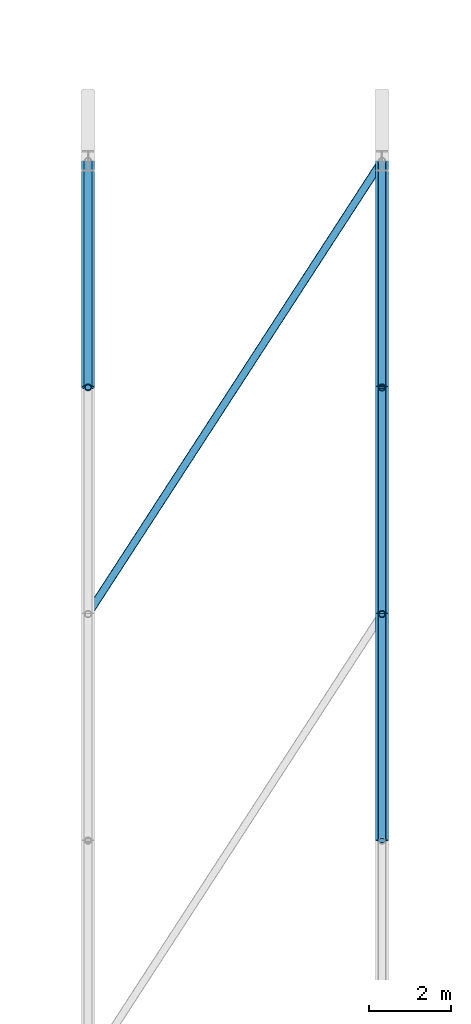
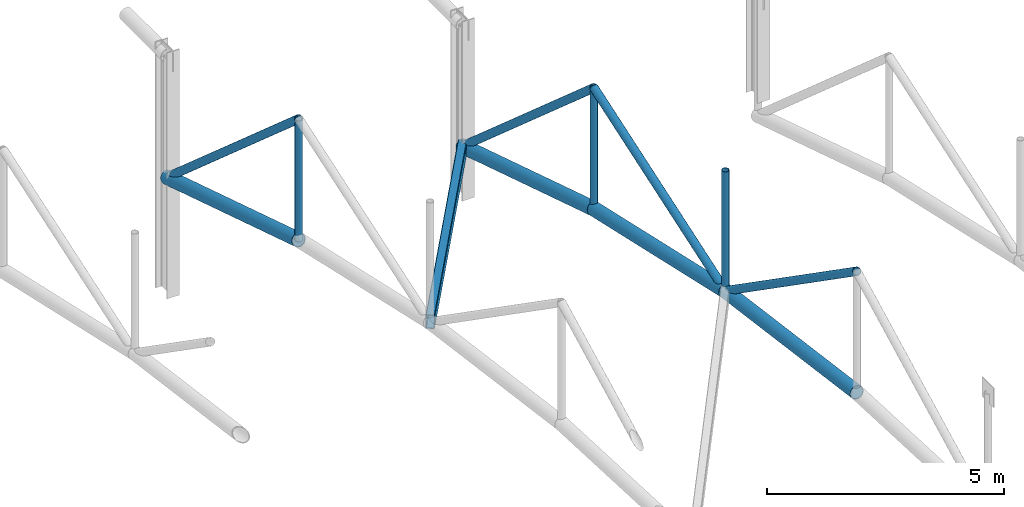
# One storey, part 55 of 153: 12 members.
"""IFC4 building model written with IfcOpenShell, lengths in metres."""

from ifc_helpers import new_model, si_unit, derived_unit, direction, frame, origin, origin_2d, place, context, subcontext, project, spatial, hollow_rectangle, hollow_circle, extrude, material, material_profile, profile_set, type_object, element, save


model = new_model("IFC4")

# Units and contexts
model_context = context("Model", 3, precision=1e-05, world=origin(), true_north=direction((0.0, 1.0)))
body_context = subcontext(model_context, "Body", "Model", "MODEL_VIEW")
ifc_project = project(units=[si_unit("LENGTHUNIT", "METRE"), si_unit("AREAUNIT", "SQUARE_METRE"), si_unit("VOLUMEUNIT", "CUBIC_METRE"), si_unit("PLANEANGLEUNIT", "RADIAN"), si_unit("MASSUNIT", "GRAM", prefix="KILO"), derived_unit("THERMALTRANSMITTANCEUNIT", [(si_unit("POWERUNIT", "WATT"), 1), (si_unit("LENGTHUNIT", "METRE"), -2), (si_unit("THERMODYNAMICTEMPERATUREUNIT", "KELVIN"), -1)])], contexts=[model_context])

# Site, building, storey
site_placement = place(None, origin())
site = spatial("IfcSite", under=ifc_project, at=site_placement, CompositionType="ELEMENT")
building_placement = place(site_placement, origin())
building = spatial("IfcBuilding", under=site, at=building_placement, Name="Keldorne Ridge Multi-Sports Centre", CompositionType="ELEMENT")
storey_placement = place(building_placement, frame((0.0, 0.0, 9.60009765625)))
storey = spatial("IfcBuildingStorey", under=building, at=storey_placement, Name="L02", CompositionType="ELEMENT", Elevation=9.60009765625)

# Members
ifc_material = material(Name="Steel S355", Category="steel")
ifc_material_profile_1 = material_profile(ifc_material, hollow_circle(Radius=0.161865234375, WallThickness=0.01611328125, at=origin_2d()), Name="CHS 323.9x16")
ifc_profile_set_1 = profile_set([ifc_material_profile_1], Name="Steel S355")
member_type_1 = type_object("IfcMemberType", Name="MEM-TC-02", PredefinedType="CHORD", material=ifc_profile_set_1)
member_1_placement = place(storey_placement, frame((27.60009765625, 48.449951171875, 4.68994140625), z_axis=(0.0, 0.953713189214, -0.300717729305), x_axis=(-1.0, 0.0, 0.0)))
element("IfcMember", 1, at=member_1_placement, inside=storey, type_object=member_type_1, Name="Main Hall ROOF TRUSS AT-04 bottom chord 8", PredefinedType="CHORD", context=body_context, shape_type="SweptSolid", body=[
    extrude(hollow_circle(Radius=0.161865234375, WallThickness=0.01611328125, at=origin_2d()), origin(), (0.0, 0.0, 1.0), 5.8193359375),
])
member_2_placement = place(storey_placement, frame((34.800048828125, 37.35009765625, 4.969970703125), z_axis=(0.0, 0.990991804939, -0.133922524405), x_axis=(-1.0, 0.0, 0.0)))
element("IfcMember", 2, at=member_2_placement, inside=storey, type_object=member_type_1, Name="Main Hall ROOF TRUSS AT-05 bottom chord 6", PredefinedType="CHORD", context=body_context, shape_type="SweptSolid", body=[
    extrude(hollow_circle(Radius=0.161865234375, WallThickness=0.01611328125, at=origin_2d()), origin(), (0.0, 0.0, 1.0), 5.600341796875),
])
member_3_placement = place(storey_placement, frame((34.800048828125, 42.89990234375, 4.219970703125), z_axis=(0.0, 0.975563092904, -0.219719484259), x_axis=(-1.0, 0.0, 0.0)))
element("IfcMember", 3, at=member_3_placement, inside=storey, type_object=member_type_1, Name="Main Hall ROOF TRUSS AT-05 bottom chord 7", PredefinedType="CHORD", context=body_context, shape_type="SweptSolid", body=[
    extrude(hollow_circle(Radius=0.161865234375, WallThickness=0.01611328125, at=origin_2d()), origin(), (0.0, 0.0, 1.0), 5.68896484375),
])
member_4_placement = place(storey_placement, frame((34.800048828125, 48.449951171875, 2.969970703125), z_axis=(0.0, 0.953713189214, -0.300717729305), x_axis=(-1.0, 0.0, 0.0)))
element("IfcMember", 4, at=member_4_placement, inside=storey, type_object=member_type_1, Name="Main Hall ROOF TRUSS AT-05 bottom chord 8", PredefinedType="CHORD", context=body_context, shape_type="SweptSolid", body=[
    extrude(hollow_circle(Radius=0.161865234375, WallThickness=0.01611328125, at=origin_2d()), origin(), (0.0, 0.0, 1.0), 5.8193359375),
])
ifc_material_profile_2 = material_profile(ifc_material, hollow_circle(Radius=0.096923828125, WallThickness=0.010009765625, at=origin_2d()), Name="CHS 193.7x10")
ifc_profile_set_2 = profile_set([ifc_material_profile_2], Name="Steel S355")
member_type_2 = type_object("IfcMemberType", Name="MEM-TD-01", PredefinedType="BRACE", material=ifc_profile_set_2)
member_5_placement = place(storey_placement, frame((27.60009765625, 48.449951171875, 7.809814453125), z_axis=(0.0, 0.751664494299, -0.659545667874), x_axis=(-1.0, 0.0, 0.0)))
element("IfcMember", 5, at=member_5_placement, inside=storey, type_object=member_type_2, Name="Main Hall ROOF TRUSS AT-04 diagonal 8", PredefinedType="BRACE", context=body_context, shape_type="SweptSolid", body=[
    extrude(hollow_circle(Radius=0.096923828125, WallThickness=0.010009765625, at=origin_2d()), origin(), (0.0, 0.0, 1.0), 7.3837890625),
])
member_6_placement = place(storey_placement, frame((34.800048828125, 37.35009765625, 8.08984375), z_axis=(0.0, 0.820271449663, -0.571974430257), x_axis=(-1.0, 0.0, 0.0)))
element("IfcMember", 6, at=member_6_placement, inside=storey, type_object=member_type_2, Name="Main Hall ROOF TRUSS AT-05 diagonal 6", PredefinedType="BRACE", context=body_context, shape_type="SweptSolid", body=[
    extrude(hollow_circle(Radius=0.096923828125, WallThickness=0.010009765625, at=origin_2d()), origin(), (0.0, 0.0, 1.0), 6.765869140625),
])
member_7_placement = place(storey_placement, frame((34.800048828125, 42.89990234375, 4.219970703125), z_axis=(0.0, 0.947661237718, 0.319277588514), x_axis=(-1.0, 0.0, 0.0)))
element("IfcMember", 7, at=member_7_placement, inside=storey, type_object=member_type_2, Name="Main Hall ROOF TRUSS AT-05 diagonal 7", PredefinedType="BRACE", context=body_context, shape_type="SweptSolid", body=[
    extrude(hollow_circle(Radius=0.096923828125, WallThickness=0.010009765625, at=origin_2d()), origin(), (0.0, 0.0, 1.0), 5.856689453125),
])
member_8_placement = place(storey_placement, frame((34.800048828125, 48.449951171875, 6.08984375), z_axis=(0.0, 0.751664494299, -0.659545667874), x_axis=(-1.0, 0.0, 0.0)))
element("IfcMember", 8, at=member_8_placement, inside=storey, type_object=member_type_2, Name="Main Hall ROOF TRUSS AT-05 diagonal 8", PredefinedType="BRACE", context=body_context, shape_type="SweptSolid", body=[
    extrude(hollow_circle(Radius=0.096923828125, WallThickness=0.010009765625, at=origin_2d()), origin(), (0.0, 0.0, 1.0), 7.3837890625),
])
ifc_material_profile_3 = material_profile(ifc_material, hollow_circle(Radius=0.084228515625, WallThickness=0.010009765625, at=origin_2d()), Name="CHS 168.3x10")
ifc_profile_set_3 = profile_set([ifc_material_profile_3], Name="Steel S355")
member_type_3 = type_object("IfcMemberType", Name="MEM-TV-01", PredefinedType="STRUT", material=ifc_profile_set_3)
for number, where, z_axis, x_axis, name in (
    (9, (27.60009765625, 48.449951171875, 4.68994140625), (0.0, 0.0, 1.0), (1.0, 0.0, 0.0), "Main Hall ROOF TRUSS AT-04 vertical 8"),
    (10, (34.800048828125, 42.89990234375, 4.219970703125), (0.0, 0.0, 1.0), (1.0, 0.0, 0.0), "Main Hall ROOF TRUSS AT-05 vertical 7"),
    (11, (34.800048828125, 48.449951171875, 2.969970703125), (0.0, 0.0, 1.0), (1.0, 0.0, 0.0), "Main Hall ROOF TRUSS AT-05 vertical 8"),
):
    element("IfcMember", number, at=place(storey_placement, frame(where, z_axis=z_axis, x_axis=x_axis)), inside=storey, type_object=member_type_3, Name=name, PredefinedType="STRUT", context=body_context, shape_type="SweptSolid", body=[
        extrude(hollow_circle(Radius=0.084228515625, WallThickness=0.010009765625, at=origin_2d()), origin(), (0.0, 0.0, 1.0), 3.119873046875),
    ])
ifc_material_profile_4 = material_profile(ifc_material, hollow_rectangle(XDim=0.199951171875, YDim=0.300048828125, WallThickness=0.012451171875, InnerFilletRadius=0.012451171875, OuterFilletRadius=0.02490234375, at=origin_2d()), Name="RHS 300x200x12.5")
ifc_profile_set_4 = profile_set([ifc_material_profile_4], Name="Steel S355")
member_type_4 = type_object("IfcMemberType", Name="MEM-WB-01", PredefinedType="BRACE", material=ifc_profile_set_4)
member_9_placement = place(storey_placement, frame((27.60009765625, 42.89990234375, 5.93994140625), z_axis=(0.512546705426, 0.790188481534, -0.336003033332), x_axis=(-0.83896515778, 0.544185137643, 0.0)))
element("IfcMember", 12, at=member_9_placement, inside=storey, type_object=member_type_4, Name="Main Hall wind girder brace 4.7", PredefinedType="BRACE", context=body_context, shape_type="SweptSolid", body=[
    extrude(hollow_rectangle(XDim=0.199951171875, YDim=0.300048828125, WallThickness=0.012451171875, InnerFilletRadius=0.012451171875, OuterFilletRadius=0.02490234375, at=origin_2d()), origin(), (0.0, 0.0, 1.0), 14.04736328125),
])

save(model, "model.ifc")
